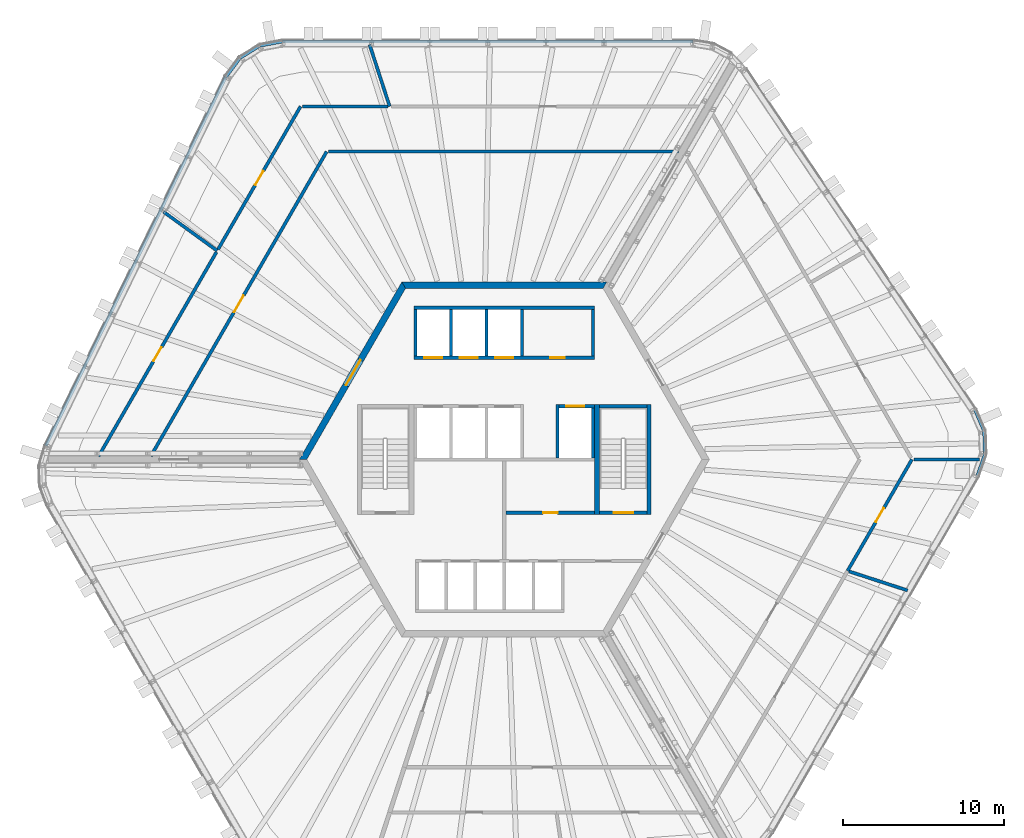
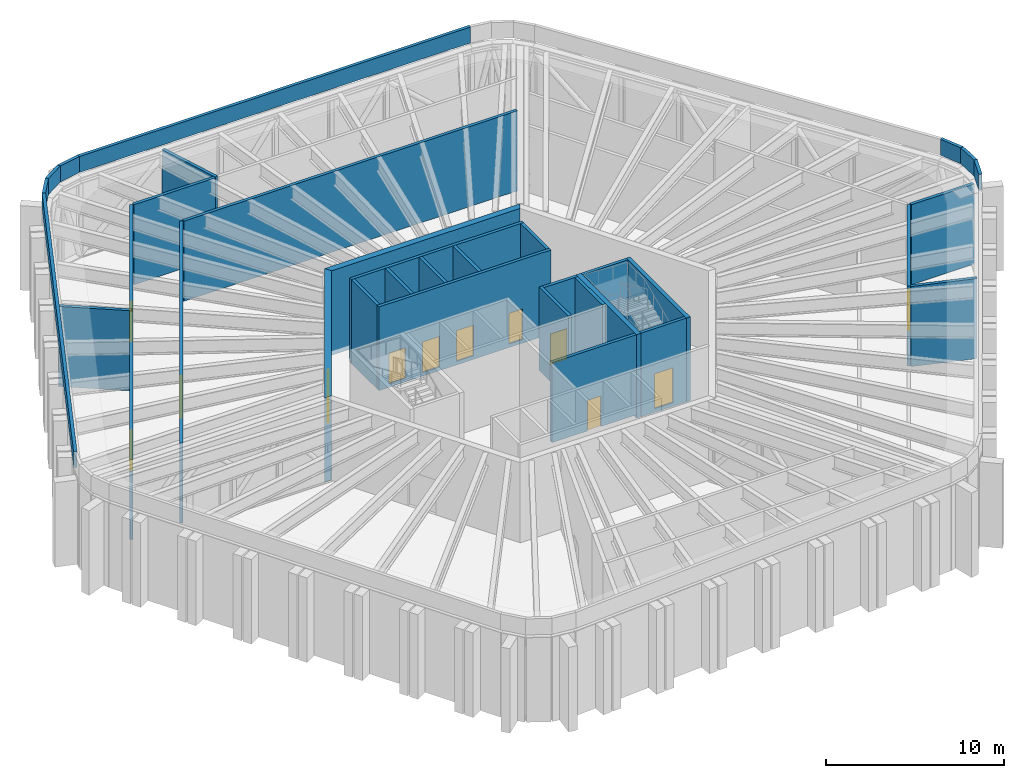
# One storey, part 11 of 19: 35 walls, 12 doors, 12 openings.
"""IFC4 building model written with IfcOpenShell, lengths in metres."""

from ifc_helpers import new_model, si_unit, direction, frame, frame_2d, origin, place, context, subcontext, project, spatial, polyline, rectangle, outline, extrude, material, layer, layer_set, type_object, element, fill, save


model = new_model("IFC4")

# Units and contexts
model_context = context("Model", 3, precision=1e-05, world=origin(), true_north=direction((0.0, 1.0)))
body_context = subcontext(model_context, "Body", "Model", "MODEL_VIEW")
ifc_project = project(units=[si_unit("LENGTHUNIT", "METRE"), si_unit("AREAUNIT", "SQUARE_METRE"), si_unit("VOLUMEUNIT", "CUBIC_METRE"), si_unit("PLANEANGLEUNIT", "RADIAN"), si_unit("MASSUNIT", "GRAM", prefix="KILO")], contexts=[model_context])

# Site, building, storey
site_placement = place(None, origin())
site = spatial("IfcSite", under=ifc_project, at=site_placement, CompositionType="ELEMENT")
building_placement = place(site_placement, origin())
building = spatial("IfcBuilding", under=site, at=building_placement, Name="Tarnside Tower", CompositionType="ELEMENT")
storey_placement = place(building_placement, frame((0.0, 0.0, 343.5)))
storey = spatial("IfcBuildingStorey", under=building, at=storey_placement, Name="L83", CompositionType="ELEMENT", Elevation=343.5)

# Wall, opening, door
ifc_material_1 = material(Name="Concrete C40/50", Category="concrete")
ifc_layer_1 = layer(ifc_material_1, 0.199951171875)
ifc_layer_set_1 = layer_set([ifc_layer_1], Name="Core room partition 200 C40/50")
wall_type_1 = type_object("IfcWallType", Name="Core room partition 200 C40/50", PredefinedType="PARTITIONING", material=ifc_layer_set_1)
wall_1_placement = place(storey_placement, frame((0.10009765625, -3.300048828125, 0.0), z_axis=(0.0, 0.0, 1.0), x_axis=(1.0, 0.0, 0.0)))
wall_1 = element("IfcWall", 1, at=wall_1_placement, inside=storey, type_object=wall_type_1, Name="L83 core partition R3S1", PredefinedType="PARTITIONING", context=body_context, shape_type="SweptSolid", body=[
    extrude(rectangle(XDim=5.5, YDim=0.199951171875, at=frame_2d((2.75, 0.0))), origin(), (0.0, 0.0, 1.0), 5.5),
])
opening_1_placement = place(wall_1_placement, frame((2.300048828125, 0.0, 0.0)))
opening_1 = element("IfcOpeningElement", 2, at=opening_1_placement, cuts=wall_1, Name="Opening CD-room", PredefinedType="OPENING", context=body_context, shape_type="SweptSolid", body=[
    extrude(rectangle(XDim=0.89990234375, YDim=2.10009765625, at=frame_2d((0.449951171875, 1.050048828125))), frame((0.0, 0.10986328125, 0.0), z_axis=(0.0, -1.0, 0.0), x_axis=(1.0, 0.0, 0.0)), (0.0, 0.0, 1.0), 0.219970703125),
])
ifc_material_2 = material(Name="Steel fire door", Category="steel")
door_type_1 = type_object("IfcDoorType", Name="Room door FD60 900x2100", OperationType="NOTDEFINED", PredefinedType="DOOR", material=ifc_material_2)
door_1_placement = place(opening_1_placement, origin())
door_1 = element("IfcDoor", 3, at=door_1_placement, inside=storey, type_object=door_type_1, Name="L83 core room door SR1", OperationType="SINGLE_SWING_LEFT", OverallHeight=2.10009765625, OverallWidth=0.89990234375, PredefinedType="DOOR", context=body_context, shape_type="SweptSolid", body=[
    extrude(rectangle(XDim=0.89990234375, YDim=2.10009765625, at=frame_2d((0.449951171875, 1.050048828125))), frame((0.0, 0.02490234375, 0.0), z_axis=(0.0, -1.0, 0.0), x_axis=(1.0, 0.0, 0.0)), (0.0, 0.0, 1.0), 0.050048828125),
])
fill(opening_1, door_1)

ifc_material_3 = material(Name="Concrete C60/75", Category="concrete")
ifc_layer_2 = layer(ifc_material_3, 0.39990234375)
ifc_layer_set_2 = layer_set([ifc_layer_2], Name="Core wall Z3 400 C60/75")
wall_type_2 = type_object("IfcWallType", Name="Core wall Z3 400 C60/75", PredefinedType="SHEAR", material=ifc_layer_set_2)
wall_2_placement = place(storey_placement, frame((-6.2353515625, 10.800048828125, -0.300048828125), z_axis=(0.0, 0.0, 1.0), x_axis=(-0.499996419489, -0.866027470984, 0.0)))
wall_2 = element("IfcWall", 4, at=wall_2_placement, inside=storey, type_object=wall_type_2, Name="L83 core wall face 2", PredefinedType="SHEAR", context=body_context, shape_type="SweptSolid", body=[
    extrude(outline(polyline([(-0.115478515625, -0.199951171875), (12.586181640625, -0.199951171875), (12.355224609375, 0.199951171875), (0.115478515625, 0.199951171875), (-0.115478515625, -0.199951171875)])), origin(), (0.0, 0.0, 1.0), 5.800048828125),
])
opening_2_placement = place(wall_2_placement, frame((5.3642578125, 0.0, 0.300048828125)))
opening_2 = element("IfcOpeningElement", 5, at=opening_2_placement, cuts=wall_2, Name="Opening CD-LOB", PredefinedType="OPENING", context=body_context, shape_type="SweptSolid", body=[
    extrude(rectangle(XDim=1.800048828125, YDim=2.39990234375, at=frame_2d((0.89990234375, 1.199951171875))), frame((0.0, 0.2099609375, 0.0), z_axis=(0.0, -1.0, 0.0), x_axis=(1.0, 0.0, 0.0)), (0.0, 0.0, 1.0), 0.419921875),
])
door_type_2 = type_object("IfcDoorType", Name="Lobby double door FD30S 1800x2400", OperationType="NOTDEFINED", PredefinedType="DOOR", material=ifc_material_2)
door_2_placement = place(opening_2_placement, origin())
door_2 = element("IfcDoor", 6, at=door_2_placement, inside=storey, type_object=door_type_2, Name="L83 core door P1", OperationType="DOUBLE_DOOR_SINGLE_SWING", OverallHeight=2.39990234375, OverallWidth=1.800048828125, PredefinedType="DOOR", context=body_context, shape_type="SweptSolid", body=[
    extrude(rectangle(XDim=1.800048828125, YDim=2.39990234375, at=frame_2d((0.89990234375, 1.199951171875))), frame((0.0, 0.02490234375, 0.0), z_axis=(0.0, -1.0, 0.0), x_axis=(1.0, 0.0, 0.0)), (0.0, 0.0, 1.0), 0.050048828125),
])
fill(opening_2, door_2)

# Wall
wall_3_placement = place(storey_placement, frame((6.2353515625, 10.800048828125, -0.300048828125), z_axis=(0.0, 0.0, 1.0), x_axis=(-1.0, 0.0, 0.0)))
element("IfcWall", 7, at=wall_3_placement, inside=storey, type_object=wall_type_2, Name="L83 core wall face 1", PredefinedType="SHEAR", context=body_context, shape_type="SweptSolid", body=[
    extrude(outline(polyline([(-0.115478515625, -0.199951171875), (12.586181640625, -0.199951171875), (12.355224609375, 0.199951171875), (0.115478515625, 0.199951171875), (-0.115478515625, -0.199951171875)])), origin(), (0.0, 0.0, 1.0), 5.800048828125),
])

# Wall, openings, doors
ifc_layer_3 = layer(ifc_material_1, 0.199951171875)
ifc_layer_set_3 = layer_set([ifc_layer_3], Name="Lift shaft wall 200 C40/50")
wall_type_3 = type_object("IfcWallType", Name="Lift shaft wall 200 C40/50", PredefinedType="SHEAR", material=ifc_layer_set_3)
wall_4_placement = place(storey_placement, frame((-5.60009765625, 6.300048828125, -0.25), z_axis=(0.0, 0.0, 1.0), x_axis=(1.0, 0.0, 0.0)))
wall_4 = element("IfcWall", 8, at=wall_4_placement, inside=storey, type_object=wall_type_3, Name="L83 lift shaft front wall R1", PredefinedType="SHEAR", context=body_context, shape_type="SweptSolid", body=[
    extrude(rectangle(XDim=11.2001953125, YDim=0.199951171875, at=frame_2d((5.60009765625, 0.0))), origin(), (0.0, 0.0, 1.0), 5.75),
])
opening_3_placement = place(wall_4_placement, frame((8.449951171875, 0.0, 0.25)))
opening_3 = element("IfcOpeningElement", 9, at=opening_3_placement, cuts=wall_4, Name="Opening CD-room", PredefinedType="OPENING", context=body_context, shape_type="SweptSolid", body=[
    extrude(rectangle(XDim=0.89990234375, YDim=2.10009765625, at=frame_2d((0.449951171875, 1.050048828125))), frame((0.0, 0.10986328125, 0.0), z_axis=(0.0, -1.0, 0.0), x_axis=(1.0, 0.0, 0.0)), (0.0, 0.0, 1.0), 0.219970703125),
])
opening_4_placement = place(wall_4_placement, frame((0.64990234375, 0.0, 0.25)))
opening_4 = element("IfcOpeningElement", 10, at=opening_4_placement, cuts=wall_4, Name="Opening LD", PredefinedType="OPENING", context=body_context, shape_type="SweptSolid", body=[
    extrude(rectangle(XDim=1.10009765625, YDim=2.10009765625, at=frame_2d((0.550048828125, 1.050048828125))), frame((0.0, 0.10986328125, 0.0), z_axis=(0.0, -1.0, 0.0), x_axis=(1.0, 0.0, 0.0)), (0.0, 0.0, 1.0), 0.219970703125),
])
opening_5_placement = place(wall_4_placement, frame((2.85009765625, 0.0, 0.25)))
opening_5 = element("IfcOpeningElement", 11, at=opening_5_placement, cuts=wall_4, Name="Opening LD", PredefinedType="OPENING", context=body_context, shape_type="SweptSolid", body=[
    extrude(rectangle(XDim=1.10009765625, YDim=2.10009765625, at=frame_2d((0.550048828125, 1.050048828125))), frame((0.0, 0.10986328125, 0.0), z_axis=(0.0, -1.0, 0.0), x_axis=(1.0, 0.0, 0.0)), (0.0, 0.0, 1.0), 0.219970703125),
])
opening_6_placement = place(wall_4_placement, frame((5.050048828125, 0.0, 0.25)))
opening_6 = element("IfcOpeningElement", 12, at=opening_6_placement, cuts=wall_4, Name="Opening LD", PredefinedType="OPENING", context=body_context, shape_type="SweptSolid", body=[
    extrude(rectangle(XDim=1.10009765625, YDim=2.10009765625, at=frame_2d((0.550048828125, 1.050048828125))), frame((0.0, 0.10986328125, 0.0), z_axis=(0.0, -1.0, 0.0), x_axis=(1.0, 0.0, 0.0)), (0.0, 0.0, 1.0), 0.219970703125),
])
ifc_material_4 = material(Name="Stainless steel", Category="steel")
door_type_3 = type_object("IfcDoorType", Name="Lift landing door 1100x2100", OperationType="NOTDEFINED", PredefinedType="DOOR", material=ifc_material_4)
door_3_placement = place(opening_4_placement, origin())
door_3 = element("IfcDoor", 13, at=door_3_placement, inside=storey, type_object=door_type_3, Name="High-rise lift 1 landing door L83", OperationType="SLIDING_TO_LEFT", OverallHeight=2.10009765625, OverallWidth=1.10009765625, PredefinedType="DOOR", context=body_context, shape_type="SweptSolid", body=[
    extrude(rectangle(XDim=1.10009765625, YDim=2.10009765625, at=frame_2d((0.550048828125, 1.050048828125))), frame((0.0, 0.02490234375, 0.0), z_axis=(0.0, -1.0, 0.0), x_axis=(1.0, 0.0, 0.0)), (0.0, 0.0, 1.0), 0.050048828125),
])
fill(opening_4, door_3)
door_4_placement = place(opening_5_placement, origin())
door_4 = element("IfcDoor", 14, at=door_4_placement, inside=storey, type_object=door_type_3, Name="High-rise lift 2 landing door L83", OperationType="SLIDING_TO_LEFT", OverallHeight=2.10009765625, OverallWidth=1.10009765625, PredefinedType="DOOR", context=body_context, shape_type="SweptSolid", body=[
    extrude(rectangle(XDim=1.10009765625, YDim=2.10009765625, at=frame_2d((0.550048828125, 1.050048828125))), frame((0.0, 0.02490234375, 0.0), z_axis=(0.0, -1.0, 0.0), x_axis=(1.0, 0.0, 0.0)), (0.0, 0.0, 1.0), 0.050048828125),
])
fill(opening_5, door_4)
door_5_placement = place(opening_6_placement, origin())
door_5 = element("IfcDoor", 15, at=door_5_placement, inside=storey, type_object=door_type_3, Name="High-rise lift 3 landing door L83", OperationType="SLIDING_TO_LEFT", OverallHeight=2.10009765625, OverallWidth=1.10009765625, PredefinedType="DOOR", context=body_context, shape_type="SweptSolid", body=[
    extrude(rectangle(XDim=1.10009765625, YDim=2.10009765625, at=frame_2d((0.550048828125, 1.050048828125))), frame((0.0, 0.02490234375, 0.0), z_axis=(0.0, -1.0, 0.0), x_axis=(1.0, 0.0, 0.0)), (0.0, 0.0, 1.0), 0.050048828125),
])
fill(opening_6, door_5)
door_6_placement = place(opening_3_placement, origin())
door_6 = element("IfcDoor", 16, at=door_6_placement, inside=storey, type_object=door_type_1, Name="L83 core room door FC1", OperationType="SINGLE_SWING_LEFT", OverallHeight=2.10009765625, OverallWidth=0.89990234375, PredefinedType="DOOR", context=body_context, shape_type="SweptSolid", body=[
    extrude(rectangle(XDim=0.89990234375, YDim=2.10009765625, at=frame_2d((0.449951171875, 1.050048828125))), frame((0.0, 0.02490234375, 0.0), z_axis=(0.0, -1.0, 0.0), x_axis=(1.0, 0.0, 0.0)), (0.0, 0.0, 1.0), 0.050048828125),
])
fill(opening_3, door_6)

# Walls
wall_5_placement = place(storey_placement, frame((-5.60009765625, 9.39990234375, -0.25), z_axis=(0.0, 0.0, 1.0), x_axis=(1.0, 0.0, 0.0)))
element("IfcWall", 17, at=wall_5_placement, inside=storey, type_object=wall_type_3, Name="L83 lift shaft back wall R1", PredefinedType="SHEAR", context=body_context, shape_type="SweptSolid", body=[
    extrude(rectangle(XDim=11.2001953125, YDim=0.199951171875, at=frame_2d((5.60009765625, 0.0))), origin(), (0.0, 0.0, 1.0), 5.75),
])
for number, where, z_axis, x_axis, name in (
    (18, (-5.5, 6.39990234375, -0.25), (0.0, 0.0, 1.0), (0.0, 1.0, 0.0), "L83 lift shaft partition R11"),
    (19, (-3.300048828125, 6.39990234375, -0.25), (0.0, 0.0, 1.0), (0.0, 1.0, 0.0), "L83 lift shaft partition R12"),
    (20, (-1.10009765625, 6.39990234375, -0.25), (0.0, 0.0, 1.0), (0.0, 1.0, 0.0), "L83 lift shaft partition R13"),
    (21, (1.10009765625, 6.39990234375, -0.25), (0.0, 0.0, 1.0), (0.0, 1.0, 0.0), "L83 lift shaft partition R14"),
    (22, (5.5, 6.39990234375, -0.25), (0.0, 0.0, 1.0), (0.0, 1.0, 0.0), "L83 lift shaft partition R16"),
):
    element("IfcWall", number, at=place(storey_placement, frame(where, z_axis=z_axis, x_axis=x_axis)), inside=storey, type_object=wall_type_3, Name=name, PredefinedType="SHEAR", context=body_context, shape_type="SweptSolid", body=[
        extrude(rectangle(XDim=2.900146484375, YDim=0.199951171875, at=frame_2d((1.4501953125, 0.0))), origin(), (0.0, 0.0, 1.0), 5.75),
    ])

# Wall, opening, door
wall_6_placement = place(storey_placement, frame((3.39990234375, 3.300048828125, -0.25), z_axis=(0.0, 0.0, 1.0), x_axis=(1.0, 0.0, 0.0)))
wall_6 = element("IfcWall", 23, at=wall_6_placement, inside=storey, type_object=wall_type_3, Name="L83 lift shaft front wall R2 2", PredefinedType="SHEAR", context=body_context, shape_type="SweptSolid", body=[
    extrude(rectangle(XDim=2.2001953125, YDim=0.199951171875, at=frame_2d((1.10009765625, 0.0))), origin(), (0.0, 0.0, 1.0), 5.75),
])
opening_7_placement = place(wall_6_placement, frame((0.449951171875, 0.0, 0.25)))
opening_7 = element("IfcOpeningElement", 24, at=opening_7_placement, cuts=wall_6, Name="Opening LD", PredefinedType="OPENING", context=body_context, shape_type="SweptSolid", body=[
    extrude(rectangle(XDim=1.10009765625, YDim=2.10009765625, at=frame_2d((0.550048828125, 1.050048828125))), frame((0.0, 0.10986328125, 0.0), z_axis=(0.0, -1.0, 0.0), x_axis=(1.0, 0.0, 0.0)), (0.0, 0.0, 1.0), 0.219970703125),
])
door_7_placement = place(opening_7_placement, origin())
door_7 = element("IfcDoor", 25, at=door_7_placement, inside=storey, type_object=door_type_3, Name="Express sky-lobby shuttle 2 landing door L83", OperationType="SLIDING_TO_LEFT", OverallHeight=2.10009765625, OverallWidth=1.10009765625, PredefinedType="DOOR", context=body_context, shape_type="SweptSolid", body=[
    extrude(rectangle(XDim=1.10009765625, YDim=2.10009765625, at=frame_2d((0.550048828125, 1.050048828125))), frame((0.0, 0.02490234375, 0.0), z_axis=(0.0, -1.0, 0.0), x_axis=(1.0, 0.0, 0.0)), (0.0, 0.0, 1.0), 0.050048828125),
])
fill(opening_7, door_7)

# Walls
wall_7_placement = place(storey_placement, frame((3.300048828125, 0.10009765625, -0.25), z_axis=(0.0, 0.0, 1.0), x_axis=(0.0, 1.0, 0.0)))
element("IfcWall", 26, at=wall_7_placement, inside=storey, type_object=wall_type_3, Name="L83 lift shaft partition R25", PredefinedType="SHEAR", context=body_context, shape_type="SweptSolid", body=[
    extrude(rectangle(XDim=3.2998046875, YDim=0.199951171875, at=frame_2d((1.64990234375, 0.0))), origin(), (0.0, 0.0, 1.0), 5.75),
])
wall_8_placement = place(storey_placement, frame((5.5, 0.10009765625, -0.25), z_axis=(0.0, 0.0, 1.0), x_axis=(0.0, 1.0, 0.0)))
element("IfcWall", 27, at=wall_8_placement, inside=storey, type_object=wall_type_3, Name="L83 lift shaft partition R26", PredefinedType="SHEAR", context=body_context, shape_type="SweptSolid", body=[
    extrude(rectangle(XDim=3.099853515625, YDim=0.199951171875, at=frame_2d((1.5498046875, 0.0))), origin(), (0.0, 0.0, 1.0), 5.75),
])
wall_9_placement = place(storey_placement, frame((5.89990234375, 3.300048828125, -0.25), z_axis=(0.0, 0.0, 1.0), x_axis=(1.0, 0.0, 0.0)))
element("IfcWall", 28, at=wall_9_placement, inside=storey, type_object=wall_type_3, Name="L83 stair 1 enclosure cap wall n", PredefinedType="SHEAR", context=body_context, shape_type="SweptSolid", body=[
    extrude(rectangle(XDim=2.9501953125, YDim=0.199951171875, at=frame_2d((1.47509765625, 0.0))), origin(), (0.0, 0.0, 1.0), 5.75),
])

# Wall, opening, door
wall_10_placement = place(storey_placement, frame((5.89990234375, -3.300048828125, -0.25), z_axis=(0.0, 0.0, 1.0), x_axis=(1.0, 0.0, 0.0)))
wall_10 = element("IfcWall", 29, at=wall_10_placement, inside=storey, type_object=wall_type_3, Name="L83 stair 1 enclosure cap wall s", PredefinedType="SHEAR", context=body_context, shape_type="SweptSolid", body=[
    extrude(rectangle(XDim=2.9501953125, YDim=0.199951171875, at=frame_2d((1.47509765625, 0.0))), origin(), (0.0, 0.0, 1.0), 5.75),
])
opening_8_placement = place(wall_10_placement, frame((0.875, 0.0, 0.25)))
opening_8 = element("IfcOpeningElement", 30, at=opening_8_placement, cuts=wall_10, Name="Opening CD-STR", PredefinedType="OPENING", context=body_context, shape_type="SweptSolid", body=[
    extrude(rectangle(XDim=1.199951171875, YDim=2.39990234375, at=frame_2d((0.60009765625, 1.199951171875))), frame((0.0, 0.10986328125, 0.0), z_axis=(0.0, -1.0, 0.0), x_axis=(1.0, 0.0, 0.0)), (0.0, 0.0, 1.0), 0.219970703125),
])
door_type_4 = type_object("IfcDoorType", Name="Stair door FD60S 1200x2400", OperationType="NOTDEFINED", PredefinedType="DOOR", material=ifc_material_2)
door_8_placement = place(opening_8_placement, origin())
door_8 = element("IfcDoor", 31, at=door_8_placement, inside=storey, type_object=door_type_4, Name="L83 stair 1 door", OperationType="SINGLE_SWING_LEFT", OverallHeight=2.39990234375, OverallWidth=1.199951171875, PredefinedType="DOOR", context=body_context, shape_type="SweptSolid", body=[
    extrude(rectangle(XDim=1.199951171875, YDim=2.39990234375, at=frame_2d((0.60009765625, 1.199951171875))), frame((0.0, 0.02490234375, 0.0), z_axis=(0.0, -1.0, 0.0), x_axis=(1.0, 0.0, 0.0)), (0.0, 0.0, 1.0), 0.050048828125),
])
fill(opening_8, door_8)

# Walls
ifc_material_5 = material(Name="Concrete C35/45 precast", Category="concrete")
ifc_layer_4 = layer(ifc_material_5, 0.199951171875)
ifc_layer_set_4 = layer_set([ifc_layer_4], Name="Parapet 200 x 1100")
wall_type_4 = type_object("IfcWallType", Name="Parapet 200 x 1100", PredefinedType="PARAPET", material=ifc_layer_set_4)
wall_11_placement = place(storey_placement, frame((29.154052734375, 3.093994140625, 5.699951171875), z_axis=(0.0, 0.0, 1.0), x_axis=(0.396149459685, -0.918186040839, 0.0)))
element("IfcWall", 32, at=wall_11_placement, inside=storey, type_object=wall_type_4, Name="Roof parapet 05", PredefinedType="PARAPET", context=body_context, shape_type="SweptSolid", body=[
    extrude(outline(polyline([(0.00927734375, -0.10009765625), (1.433837890625, -0.10009765625), (1.471435546875, 0.10009765625), (-0.00927734375, 0.10009765625), (0.00927734375, -0.10009765625)])), origin(), (0.0, 0.0, 1.0), 1.10009765625),
])
wall_12_placement = place(storey_placement, frame((29.7294921875, 1.76025390625, 5.699951171875), z_axis=(0.0, 0.0, 1.0), x_axis=(0.034846799115, -0.999392665868, 0.0)))
element("IfcWall", 33, at=wall_12_placement, inside=storey, type_object=wall_type_4, Name="Roof parapet 06", PredefinedType="PARAPET", context=body_context, shape_type="SweptSolid", body=[
    extrude(outline(polyline([(0.018798828125, -0.10009765625), (1.424560546875, -0.10009765625), (1.462158203125, 0.10009765625), (-0.018798828125, 0.10009765625), (0.018798828125, -0.10009765625)])), origin(), (0.0, 0.0, 1.0), 1.10009765625),
])
wall_13_placement = place(storey_placement, frame((29.77978515625, 0.31787109375, 5.699951171875), z_axis=(0.0, 0.0, 1.0), x_axis=(-0.330964304762, -0.943643274216, 0.0)))
element("IfcWall", 34, at=wall_13_placement, inside=storey, type_object=wall_type_4, Name="Roof parapet 07", PredefinedType="PARAPET", context=body_context, shape_type="SweptSolid", body=[
    extrude(outline(polyline([(0.018798828125, -0.10009765625), (1.443115234375, -0.10009765625), (1.461669921875, 0.10009765625), (-0.018798828125, 0.10009765625), (0.018798828125, -0.10009765625)])), origin(), (0.0, 0.0, 1.0), 1.10009765625),
])
wall_14_placement = place(storey_placement, frame((-28.403076171875, 0.847412109375, 5.699951171875), z_axis=(0.0, 0.0, 1.0), x_axis=(0.438369906663, 0.898794651148, 0.0)))
element("IfcWall", 35, at=wall_14_placement, inside=storey, type_object=wall_type_4, Name="Roof parapet 20", PredefinedType="PARAPET", context=body_context, shape_type="SweptSolid", body=[
    extrude(outline(polyline([(0.008056640625, -0.10009765625), (25.417724609375, -0.10009765625), (25.436279296875, 0.10009765625), (-0.008056640625, 0.10009765625), (0.008056640625, -0.10009765625)])), origin(), (0.0, 0.0, 1.0), 1.10009765625),
])
wall_15_placement = place(storey_placement, frame((-17.256591796875, 23.701171875, 5.699951171875), z_axis=(0.0, 0.0, 1.0), x_axis=(0.597118923952, 0.802152722777, 0.0)))
element("IfcWall", 36, at=wall_15_placement, inside=storey, type_object=wall_type_4, Name="Roof parapet 21", PredefinedType="PARAPET", context=body_context, shape_type="SweptSolid", body=[
    extrude(outline(polyline([(0.00927734375, -0.10009765625), (1.433837890625, -0.10009765625), (1.471435546875, 0.10009765625), (-0.00927734375, 0.10009765625), (0.00927734375, -0.10009765625)])), origin(), (0.0, 0.0, 1.0), 1.10009765625),
])
wall_16_placement = place(storey_placement, frame((-16.38916015625, 24.866455078125, 5.699951171875), z_axis=(0.0, 0.0, 1.0), x_axis=(0.848083831846, 0.529862070884, 0.0)))
element("IfcWall", 37, at=wall_16_placement, inside=storey, type_object=wall_type_4, Name="Roof parapet 22", PredefinedType="PARAPET", context=body_context, shape_type="SweptSolid", body=[
    extrude(outline(polyline([(0.018798828125, -0.10009765625), (1.42431640625, -0.10009765625), (1.4619140625, 0.10009765625), (-0.018798828125, 0.10009765625), (0.018798828125, -0.10009765625)])), origin(), (0.0, 0.0, 1.0), 1.10009765625),
])
wall_17_placement = place(storey_placement, frame((-15.165283203125, 25.631103515625, 5.699951171875), z_axis=(0.0, 0.0, 1.0), x_axis=(0.982729187844, 0.185049570005, 0.0)))
element("IfcWall", 38, at=wall_17_placement, inside=storey, type_object=wall_type_4, Name="Roof parapet 23", PredefinedType="PARAPET", context=body_context, shape_type="SweptSolid", body=[
    extrude(outline(polyline([(0.018798828125, -0.10009765625), (1.443359375, -0.10009765625), (1.4619140625, 0.10009765625), (-0.018798828125, 0.10009765625), (0.018798828125, -0.10009765625)])), origin(), (0.0, 0.0, 1.0), 1.10009765625),
])
wall_18_placement = place(storey_placement, frame((-13.73779296875, 25.89990234375, 5.699951171875), z_axis=(0.0, 0.0, 1.0), x_axis=(1.0, 0.0, 0.0)))
element("IfcWall", 39, at=wall_18_placement, inside=storey, type_object=wall_type_4, Name="Roof parapet 24", PredefinedType="PARAPET", context=body_context, shape_type="SweptSolid", body=[
    extrude(outline(polyline([(0.00927734375, -0.10009765625), (25.419189453125, -0.10009765625), (25.435302734375, 0.10009765625), (-0.00927734375, 0.10009765625), (0.00927734375, -0.10009765625)])), origin(), (0.0, 0.0, 1.0), 1.10009765625),
])
ifc_layer_5 = layer(ifc_material_1, 0.25)
ifc_layer_set_5 = layer_set([ifc_layer_5], Name="Stair enclosure wall 250 C40/50")
wall_type_5 = type_object("IfcWallType", Name="Stair enclosure wall 250 C40/50", PredefinedType="SHEAR", material=ifc_layer_set_5)
wall_19_placement = place(storey_placement, frame((8.97509765625, -3.39990234375, -0.25), z_axis=(0.0, 0.0, 1.0), x_axis=(0.0, 1.0, 0.0)))
element("IfcWall", 40, at=wall_19_placement, inside=storey, type_object=wall_type_5, Name="L83 stair 1 enclosure wall outer", PredefinedType="SHEAR", context=body_context, shape_type="SweptSolid", body=[
    extrude(rectangle(XDim=6.7998046875, YDim=0.25, at=frame_2d((3.39990234375, 0.0))), origin(), (0.0, 0.0, 1.0), 5.75),
])
ifc_layer_6 = layer(ifc_material_1, 0.300048828125)
ifc_layer_set_6 = layer_set([ifc_layer_6], Name="Stair enclosure wall 300 C40/50")
wall_type_6 = type_object("IfcWallType", Name="Stair enclosure wall 300 C40/50", PredefinedType="SHEAR", material=ifc_layer_set_6)
wall_20_placement = place(storey_placement, frame((5.75, -3.39990234375, -0.25), z_axis=(0.0, 0.0, 1.0), x_axis=(0.0, 1.0, 0.0)))
element("IfcWall", 41, at=wall_20_placement, inside=storey, type_object=wall_type_6, Name="L83 stair 1 enclosure wall inner", PredefinedType="SHEAR", context=body_context, shape_type="SweptSolid", body=[
    extrude(rectangle(XDim=6.7998046875, YDim=0.300048828125, at=frame_2d((3.39990234375, 0.0))), origin(), (0.0, 0.0, 1.0), 5.75),
])
ifc_material_6 = material(Name="Concrete C32/40", Category="concrete")
ifc_layer_7 = layer(ifc_material_6, 0.199951171875)
ifc_layer_set_7 = layer_set([ifc_layer_7], Name="Wall 200 reinforced Concrete C32/40")
wall_type_7 = type_object("IfcWallType", Name="Wall 200 reinforced Concrete C32/40", PredefinedType="PARTITIONING", material=ifc_layer_set_7)
wall_21_placement = place(storey_placement, frame((-21.10986328125, 15.337646484375, 0.0), z_axis=(0.0, 0.0, 1.0), x_axis=(0.808977915708, -0.587839035704, 0.0)))
element("IfcWall", 42, at=wall_21_placement, inside=storey, type_object=wall_type_7, Name="Partition 000", PredefinedType="PARTITIONING", context=body_context, shape_type="SweptSolid", body=[
    extrude(rectangle(XDim=4.1025390625, YDim=0.199951171875, at=frame_2d((2.05126953125, 0.0))), origin(), (0.0, 0.0, 1.0), 5.5),
])

# Wall, opening, door
wall_22_placement = place(storey_placement, frame((-25.137939453125, 0.199951171875, 0.0), z_axis=(0.0, 0.0, 1.0), x_axis=(0.499976837575, 0.866038776204, 0.0)))
wall_22 = element("IfcWall", 43, at=wall_22_placement, inside=storey, type_object=wall_type_7, Name="Partition 001", PredefinedType="PARTITIONING", context=body_context, shape_type="SweptSolid", body=[
    extrude(rectangle(XDim=14.593994140625, YDim=0.199951171875, at=frame_2d((7.296875, 0.0))), origin(), (0.0, 0.0, 1.0), 5.5),
])
opening_9_placement = place(wall_22_placement, frame((6.796875, 0.0, 0.0)))
opening_9 = element("IfcOpeningElement", 44, at=opening_9_placement, cuts=wall_22, Name="Opening D1000F60", PredefinedType="OPENING", context=body_context, shape_type="SweptSolid", body=[
    extrude(rectangle(XDim=1.0, YDim=2.10009765625, at=frame_2d((0.5, 1.050048828125))), frame((0.0, 0.10986328125, 0.0), z_axis=(0.0, -1.0, 0.0), x_axis=(1.0, 0.0, 0.0)), (0.0, 0.0, 1.0), 0.219970703125),
])
ifc_material_7 = material(Name="Timber door leaf", Category="wood")
door_type_5 = type_object("IfcDoorType", Name="Door 1000 x 2100 single leaf FD60 fire door", OperationType="NOTDEFINED", PredefinedType="DOOR", material=ifc_material_7)
door_9_placement = place(opening_9_placement, origin())
door_9 = element("IfcDoor", 45, at=door_9_placement, inside=storey, type_object=door_type_5, Name="Door L83-01", OperationType="SINGLE_SWING_RIGHT", OverallHeight=2.10009765625, OverallWidth=1.0, PredefinedType="DOOR", context=body_context, shape_type="SweptSolid", body=[
    extrude(rectangle(XDim=1.0, YDim=2.10009765625, at=frame_2d((0.5, 1.050048828125))), frame((0.0, 0.02490234375, 0.0), z_axis=(0.0, -1.0, 0.0), x_axis=(1.0, 0.0, 0.0)), (0.0, 0.0, 1.0), 0.050048828125),
])
fill(opening_9, door_9)

wall_23_placement = place(storey_placement, frame((-17.74072265625, 13.01318359375, 0.0), z_axis=(0.0, 0.0, 1.0), x_axis=(0.500015879365, 0.866016235635, 0.0)))
wall_23 = element("IfcWall", 46, at=wall_23_placement, inside=storey, type_object=wall_type_7, Name="Partition 002", PredefinedType="PARTITIONING", context=body_context, shape_type="SweptSolid", body=[
    extrude(rectangle(XDim=10.227294921875, YDim=0.199951171875, at=frame_2d((5.11376953125, 0.0))), origin(), (0.0, 0.0, 1.0), 5.5),
])
opening_10_placement = place(wall_23_placement, frame((4.613525390625, 0.0, 0.0)))
opening_10 = element("IfcOpeningElement", 47, at=opening_10_placement, cuts=wall_23, Name="Opening D1000F60", PredefinedType="OPENING", context=body_context, shape_type="SweptSolid", body=[
    extrude(rectangle(XDim=1.0, YDim=2.10009765625, at=frame_2d((0.5, 1.050048828125))), frame((0.0, 0.10986328125, 0.0), z_axis=(0.0, -1.0, 0.0), x_axis=(1.0, 0.0, 0.0)), (0.0, 0.0, 1.0), 0.219970703125),
])
door_10_placement = place(opening_10_placement, origin())
door_10 = element("IfcDoor", 48, at=door_10_placement, inside=storey, type_object=door_type_5, Name="Door L83-02", OperationType="SINGLE_SWING_LEFT", OverallHeight=2.10009765625, OverallWidth=1.0, PredefinedType="DOOR", context=body_context, shape_type="SweptSolid", body=[
    extrude(rectangle(XDim=1.0, YDim=2.10009765625, at=frame_2d((0.5, 1.050048828125))), frame((0.0, 0.02490234375, 0.0), z_axis=(0.0, -1.0, 0.0), x_axis=(1.0, 0.0, 0.0)), (0.0, 0.0, 1.0), 0.050048828125),
])
fill(opening_10, door_10)

wall_24_placement = place(storey_placement, frame((-11.010009765625, 19.070068359375, 0.0), z_axis=(0.0, 0.0, 1.0), x_axis=(-0.500012125972, -0.866018402738, 0.0)))
wall_24 = element("IfcWall", 49, at=wall_24_placement, inside=storey, type_object=wall_type_7, Name="Partition 003", PredefinedType="PARTITIONING", context=body_context, shape_type="SweptSolid", body=[
    extrude(rectangle(XDim=21.78955078125, YDim=0.199951171875, at=frame_2d((10.894775390625, 0.0))), origin(), (0.0, 0.0, 1.0), 5.5),
])
opening_11_placement = place(wall_24_placement, frame((10.294677734375, 0.0, 0.0)))
opening_11 = element("IfcOpeningElement", 50, at=opening_11_placement, cuts=wall_24, Name="Opening D1200F60", PredefinedType="OPENING", context=body_context, shape_type="SweptSolid", body=[
    extrude(rectangle(XDim=1.199951171875, YDim=2.10009765625, at=frame_2d((0.60009765625, 1.050048828125))), frame((0.0, 0.10986328125, 0.0), z_axis=(0.0, -1.0, 0.0), x_axis=(1.0, 0.0, 0.0)), (0.0, 0.0, 1.0), 0.219970703125),
])
door_type_6 = type_object("IfcDoorType", Name="Door 1200 x 2100 single leaf FD60 fire door", OperationType="NOTDEFINED", PredefinedType="DOOR", material=ifc_material_7)
door_11_placement = place(opening_11_placement, origin())
door_11 = element("IfcDoor", 51, at=door_11_placement, inside=storey, type_object=door_type_6, Name="Door L83-03", OperationType="SINGLE_SWING_RIGHT", OverallHeight=2.10009765625, OverallWidth=1.199951171875, PredefinedType="DOOR", context=body_context, shape_type="SweptSolid", body=[
    extrude(rectangle(XDim=1.199951171875, YDim=2.10009765625, at=frame_2d((0.60009765625, 1.050048828125))), frame((0.0, 0.02490234375, 0.0), z_axis=(0.0, -1.0, 0.0), x_axis=(1.0, 0.0, 0.0)), (0.0, 0.0, 1.0), 0.050048828125),
])
fill(opening_11, door_11)

# Walls
wall_25_placement = place(storey_placement, frame((-8.3466796875, 25.690185546875, 0.0), z_axis=(0.0, 0.0, 1.0), x_axis=(0.308906015955, -0.951092568211, 0.0)))
element("IfcWall", 52, at=wall_25_placement, inside=storey, type_object=wall_type_7, Name="Partition 005", PredefinedType="PARTITIONING", context=body_context, shape_type="SweptSolid", body=[
    extrude(rectangle(XDim=4.0166015625, YDim=0.199951171875, at=frame_2d((2.00830078125, 0.0))), origin(), (0.0, 0.0, 1.0), 5.5),
])
wall_26_placement = place(storey_placement, frame((-7.211181640625, 21.8701171875, 0.0), z_axis=(0.0, 0.0, 1.0), x_axis=(-1.0, 0.0, 0.0)))
element("IfcWall", 53, at=wall_26_placement, inside=storey, type_object=wall_type_7, Name="Partition 008", PredefinedType="PARTITIONING", context=body_context, shape_type="SweptSolid", body=[
    extrude(rectangle(XDim=5.30029296875, YDim=0.199951171875, at=frame_2d((2.650146484375, 0.0))), origin(), (0.0, 0.0, 1.0), 5.5),
])
wall_27_placement = place(storey_placement, frame((10.779052734375, 19.070068359375, 0.0), z_axis=(0.0, 0.0, 1.0), x_axis=(-1.0, 0.0, 0.0)))
element("IfcWall", 54, at=wall_27_placement, inside=storey, type_object=wall_type_7, Name="Partition 013", PredefinedType="PARTITIONING", context=body_context, shape_type="SweptSolid", body=[
    extrude(rectangle(XDim=21.673583984375, YDim=0.199951171875, at=frame_2d((10.8369140625, 0.0))), origin(), (0.0, 0.0, 1.0), 5.5),
])

# Wall, opening, door
wall_28_placement = place(storey_placement, frame((25.2529296875, 0.0, 0.0), z_axis=(0.0, 0.0, 1.0), x_axis=(-0.500012961574, -0.866017920287, 0.0)))
wall_28 = element("IfcWall", 55, at=wall_28_placement, inside=storey, type_object=wall_type_7, Name="Partition 018", PredefinedType="PARTITIONING", context=body_context, shape_type="SweptSolid", body=[
    extrude(rectangle(XDim=7.977783203125, YDim=0.199951171875, at=frame_2d((3.98876953125, 0.0))), origin(), (0.0, 0.0, 1.0), 5.5),
])
opening_12_placement = place(wall_28_placement, frame((3.489013671875, 0.0, 0.0)))
opening_12 = element("IfcOpeningElement", 56, at=opening_12_placement, cuts=wall_28, Name="Opening D1000F60", PredefinedType="OPENING", context=body_context, shape_type="SweptSolid", body=[
    extrude(rectangle(XDim=1.0, YDim=2.10009765625, at=frame_2d((0.5, 1.050048828125))), frame((0.0, 0.10986328125, 0.0), z_axis=(0.0, -1.0, 0.0), x_axis=(1.0, 0.0, 0.0)), (0.0, 0.0, 1.0), 0.219970703125),
])
door_12_placement = place(opening_12_placement, origin())
door_12 = element("IfcDoor", 57, at=door_12_placement, inside=storey, type_object=door_type_5, Name="Door L83-12", OperationType="SINGLE_SWING_LEFT", OverallHeight=2.10009765625, OverallWidth=1.0, PredefinedType="DOOR", context=body_context, shape_type="SweptSolid", body=[
    extrude(rectangle(XDim=1.0, YDim=2.10009765625, at=frame_2d((0.5, 1.050048828125))), frame((0.0, 0.02490234375, 0.0), z_axis=(0.0, -1.0, 0.0), x_axis=(1.0, 0.0, 0.0)), (0.0, 0.0, 1.0), 0.050048828125),
])
fill(opening_12, door_12)

# Walls
wall_29_placement = place(storey_placement, frame((24.984130859375, -8.117919921875, 0.0), z_axis=(0.0, 0.0, 1.0), x_axis=(-0.951046784688, 0.309046943579, 0.0)))
element("IfcWall", 58, at=wall_29_placement, inside=storey, type_object=wall_type_7, Name="Partition 021", PredefinedType="PARTITIONING", context=body_context, shape_type="SweptSolid", body=[
    extrude(rectangle(XDim=3.809326171875, YDim=0.199951171875, at=frame_2d((1.90478515625, 0.0))), origin(), (0.0, 0.0, 1.0), 5.5),
])
wall_30_placement = place(storey_placement, frame((29.448974609375, 0.0, 0.0), z_axis=(0.0, 0.0, 1.0), x_axis=(-1.0, 0.0, 0.0)))
element("IfcWall", 59, at=wall_30_placement, inside=storey, type_object=wall_type_7, Name="Partition 023", PredefinedType="PARTITIONING", context=body_context, shape_type="SweptSolid", body=[
    extrude(rectangle(XDim=4.08056640625, YDim=0.199951171875, at=frame_2d((2.040283203125, 0.0))), origin(), (0.0, 0.0, 1.0), 5.5),
])

save(model, "model.ifc")
